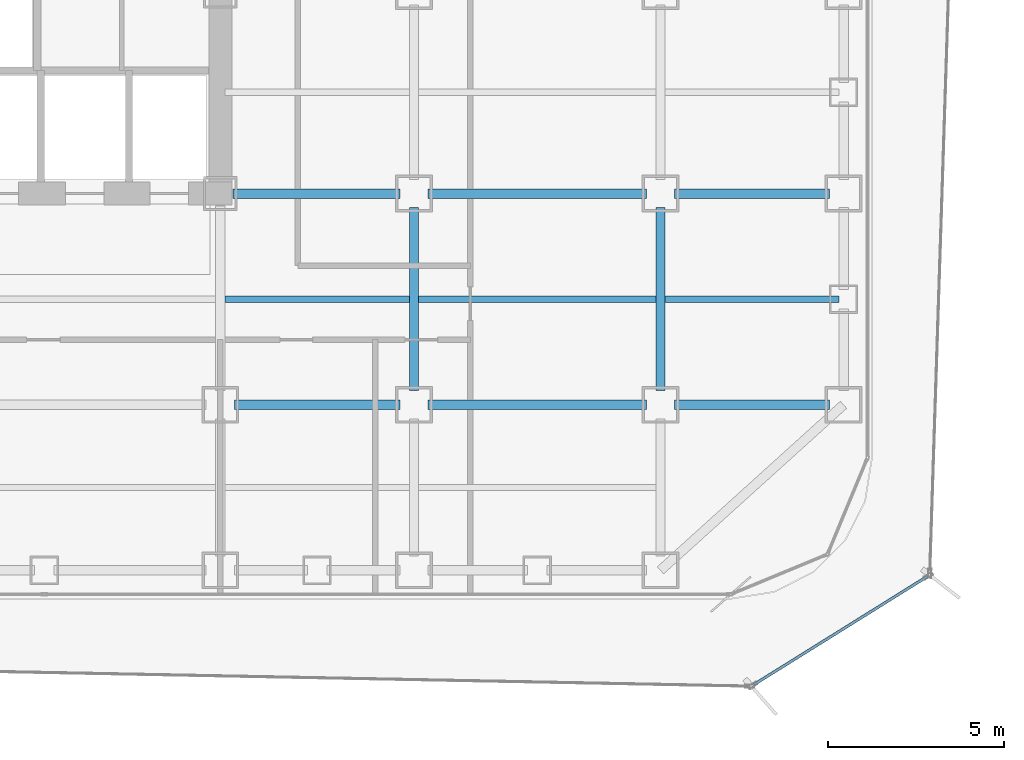
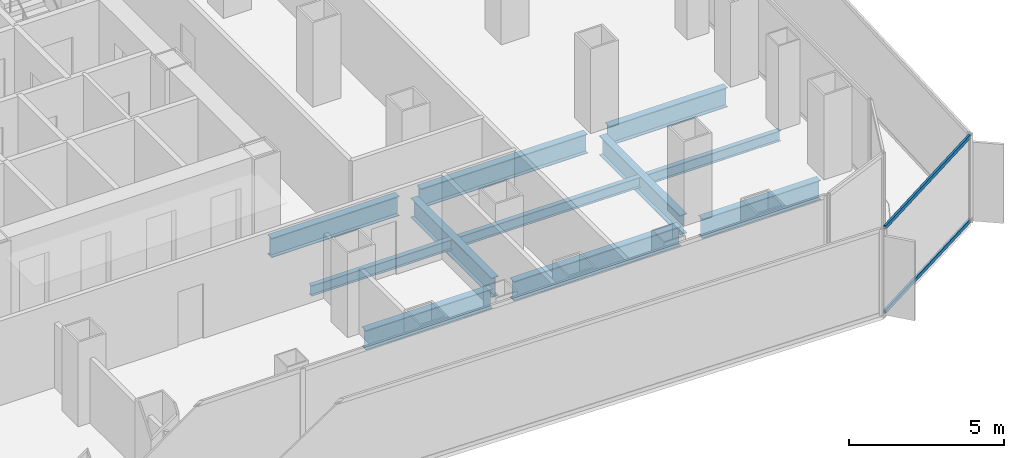
# One storey, part 7 of 21: 11 beams, 2 members, 1 element without a shape of its own.
"""IFC4 building model written with IfcOpenShell, lengths in metres."""

from ifc_helpers import new_model, si_unit, direction, frame, origin, origin_2d, place, context, subcontext, project, spatial, hollow_rectangle, i_section, extrude, source, transform, mapped, material, layer, layer_set, material_profile, profile_set, type_object, element, aggregate, save


model = new_model("IFC4")

# Units and contexts
model_context = context("Model", 3, precision=1e-05, world=origin(), true_north=direction((0.0, 1.0)))
body_context = subcontext(model_context, "Body", "Model", "MODEL_VIEW")
ifc_project = project(units=[si_unit("LENGTHUNIT", "METRE"), si_unit("AREAUNIT", "SQUARE_METRE"), si_unit("VOLUMEUNIT", "CUBIC_METRE"), si_unit("PLANEANGLEUNIT", "RADIAN"), si_unit("MASSUNIT", "GRAM", prefix="KILO")], contexts=[model_context])

# Site, building, storey
site_placement = place(None, origin())
site = spatial("IfcSite", under=ifc_project, at=site_placement, CompositionType="ELEMENT")
building_placement = place(site_placement, origin())
building = spatial("IfcBuilding", under=site, at=building_placement, Name="Kolveth Station Tower", CompositionType="ELEMENT")
storey_placement = place(building_placement, frame((0.0, 0.0, 33.300048828125)))
storey = spatial("IfcBuildingStorey", under=building, at=storey_placement, Name="L08", CompositionType="ELEMENT", Elevation=33.300048828125)

# Beams
ifc_material_1 = material(Name="Steel S355", Category="steel")
ifc_material_profile_1 = material_profile(ifc_material_1, i_section(OverallWidth=0.26708984375, OverallDepth=0.76611328125, WebThickness=0.014892578125, FlangeThickness=0.023681640625, at=origin_2d()), Name="W760x185")
ifc_profile_set_1 = profile_set([ifc_material_profile_1], Name="Steel S355")
beam_type_1 = type_object("IfcBeamType", Name="Beam_B3", PredefinedType="BEAM", material=ifc_profile_set_1)
shared_shape_1 = source(origin(), body_context, "Body", "SweptSolid", [
    extrude(i_section(OverallWidth=0.26708984375, OverallDepth=0.76611328125, WebThickness=0.014892578125, FlangeThickness=0.023681640625, at=origin_2d()), origin(), (0.0, 0.0, 1.0), 4.400146484375),
])
for number, where, z_axis, x_axis, name in (
    (1, (41.39990234375, 5.5, -0.6630859375), (1.0, 0.0, 0.0), (0.0, 1.0, 0.0), "L08 Primary Girder BM-L08-GY55-7"),
    (2, (41.39990234375, 11.5, -0.6630859375), (1.0, 0.0, 0.0), (0.0, 1.0, 0.0), "L08 Primary Girder BM-L08-GY115-7"),
):
    element("IfcBeam", number, at=place(storey_placement, frame(where, z_axis=z_axis, x_axis=x_axis)), inside=storey, type_object=beam_type_1, Name=name, PredefinedType="BEAM", context=body_context, shape_type="MappedRepresentation", body=[
        mapped(shared_shape_1, transform((0.0, 0.0, 0.0), x_axis=(1.0, 0.0, 0.0), y_axis=(0.0, 1.0, 0.0), z_axis=(0.0, 0.0, 1.0), scale=1.0)),
    ])
shared_shape_2 = source(origin(), body_context, "Body", "SweptSolid", [
    extrude(i_section(OverallWidth=0.26708984375, OverallDepth=0.76611328125, WebThickness=0.014892578125, FlangeThickness=0.023681640625, at=origin_2d()), origin(), (0.0, 0.0, 1.0), 6.2001953125),
])
for number, where, z_axis, x_axis, name in (
    (3, (34.39990234375, 5.5, -0.6630859375), (1.0, 0.0, 0.0), (0.0, 1.0, 0.0), "L08 Primary Girder BM-L08-GY55-6"),
    (4, (34.39990234375, 11.5, -0.6630859375), (1.0, 0.0, 0.0), (0.0, 1.0, 0.0), "L08 Primary Girder BM-L08-GY115-6"),
):
    element("IfcBeam", number, at=place(storey_placement, frame(where, z_axis=z_axis, x_axis=x_axis)), inside=storey, type_object=beam_type_1, Name=name, PredefinedType="BEAM", context=body_context, shape_type="MappedRepresentation", body=[
        mapped(shared_shape_2, transform((0.0, 0.0, 0.0), x_axis=(1.0, 0.0, 0.0), y_axis=(0.0, 1.0, 0.0), z_axis=(0.0, 0.0, 1.0), scale=1.0)),
    ])
shared_shape_3 = source(origin(), body_context, "Body", "SweptSolid", [
    extrude(i_section(OverallWidth=0.26708984375, OverallDepth=0.76611328125, WebThickness=0.014892578125, FlangeThickness=0.023681640625, at=origin_2d()), origin(), (0.0, 0.0, 1.0), 4.7001953125),
])
beam_1_placement = place(storey_placement, frame((28.89990234375, 5.5, -0.6630859375), z_axis=(1.0, 0.0, 0.0), x_axis=(0.0, 1.0, 0.0)))
element("IfcBeam", 5, at=beam_1_placement, inside=storey, type_object=beam_type_1, Name="L08 Primary Girder BM-L08-GY55-5", PredefinedType="BEAM", context=body_context, shape_type="MappedRepresentation", body=[
    mapped(shared_shape_3, transform((0.0, 0.0, 0.0), x_axis=(1.0, 0.0, 0.0), y_axis=(0.0, 1.0, 0.0), z_axis=(0.0, 0.0, 1.0), scale=1.0)),
])
shared_shape_4 = source(origin(), body_context, "Body", "SweptSolid", [
    extrude(i_section(OverallWidth=0.26708984375, OverallDepth=0.76611328125, WebThickness=0.014892578125, FlangeThickness=0.023681640625, at=origin_2d()), origin(), (0.0, 0.0, 1.0), 4.739990234375),
])
beam_2_placement = place(storey_placement, frame((28.860107421875, 11.5, -0.6630859375), z_axis=(1.0, 0.0, 0.0), x_axis=(0.0, 1.0, 0.0)))
element("IfcBeam", 6, at=beam_2_placement, inside=storey, type_object=beam_type_1, Name="L08 Primary Girder BM-L08-GY115-5", PredefinedType="BEAM", context=body_context, shape_type="MappedRepresentation", body=[
    mapped(shared_shape_4, transform((0.0, 0.0, 0.0), x_axis=(1.0, 0.0, 0.0), y_axis=(0.0, 1.0, 0.0), z_axis=(0.0, 0.0, 1.0), scale=1.0)),
])
shared_shape_5 = source(origin(), body_context, "Body", "SweptSolid", [
    extrude(i_section(OverallWidth=0.26708984375, OverallDepth=0.76611328125, WebThickness=0.014892578125, FlangeThickness=0.023681640625, at=origin_2d()), origin(), (0.0, 0.0, 1.0), 5.2001953125),
])
for number, where, z_axis, x_axis, name in (
    (7, (34.0, 5.89990234375, -0.6630859375), (0.0, 1.0, 0.0), (-1.0, 0.0, 0.0), "L08 Primary Girder BM-L08-GX340-2"),
    (8, (41.0, 5.89990234375, -0.6630859375), (0.0, 1.0, 0.0), (-1.0, 0.0, 0.0), "L08 Primary Girder BM-L08-GX410-2"),
):
    element("IfcBeam", number, at=place(storey_placement, frame(where, z_axis=z_axis, x_axis=x_axis)), inside=storey, type_object=beam_type_1, Name=name, PredefinedType="BEAM", context=body_context, shape_type="MappedRepresentation", body=[
        mapped(shared_shape_5, transform((0.0, 0.0, 0.0), x_axis=(1.0, 0.0, 0.0), y_axis=(0.0, 1.0, 0.0), z_axis=(0.0, 0.0, 1.0), scale=1.0)),
    ])
ifc_material_profile_2 = material_profile(ifc_material_1, i_section(OverallWidth=0.177978515625, OverallDepth=0.406982421875, WebThickness=0.0078125, FlangeThickness=0.0126953125, at=origin_2d()), Name="W410x60")
ifc_profile_set_2 = profile_set([ifc_material_profile_2], Name="Steel S355")
beam_type_2 = type_object("IfcBeamType", Name="Beam_J1", PredefinedType="JOIST", material=ifc_profile_set_2)
shared_shape_6 = source(origin(), body_context, "Body", "SweptSolid", [
    extrude(i_section(OverallWidth=0.177978515625, OverallDepth=0.406982421875, WebThickness=0.0078125, FlangeThickness=0.0126953125, at=origin_2d()), origin(), (0.0, 0.0, 1.0), 4.935791015625),
])
beam_3_placement = place(storey_placement, frame((41.131591796875, 8.5, -0.483642578125), z_axis=(1.0, 0.0, 0.0), x_axis=(0.0, 1.0, 0.0)))
element("IfcBeam", 9, at=beam_3_placement, inside=storey, type_object=beam_type_2, Name="L08 Secondary Joist JST-L08-7-2", PredefinedType="JOIST", context=body_context, shape_type="MappedRepresentation", body=[
    mapped(shared_shape_6, transform((0.0, 0.0, 0.0), x_axis=(1.0, 0.0, 0.0), y_axis=(0.0, 1.0, 0.0), z_axis=(0.0, 0.0, 1.0), scale=1.0)),
])
shared_shape_7 = source(origin(), body_context, "Body", "SweptSolid", [
    extrude(i_section(OverallWidth=0.177978515625, OverallDepth=0.406982421875, WebThickness=0.0078125, FlangeThickness=0.0126953125, at=origin_2d()), origin(), (0.0, 0.0, 1.0), 6.73681640625),
])
beam_4_placement = place(storey_placement, frame((34.131591796875, 8.5, -0.483642578125), z_axis=(1.0, 0.0, 0.0), x_axis=(0.0, 1.0, 0.0)))
element("IfcBeam", 10, at=beam_4_placement, inside=storey, type_object=beam_type_2, Name="L08 Secondary Joist JST-L08-6-2", PredefinedType="JOIST", context=body_context, shape_type="MappedRepresentation", body=[
    mapped(shared_shape_7, transform((0.0, 0.0, 0.0), x_axis=(1.0, 0.0, 0.0), y_axis=(0.0, 1.0, 0.0), z_axis=(0.0, 0.0, 1.0), scale=1.0)),
])
shared_shape_8 = source(origin(), body_context, "Body", "SweptSolid", [
    extrude(i_section(OverallWidth=0.177978515625, OverallDepth=0.406982421875, WebThickness=0.0078125, FlangeThickness=0.0126953125, at=origin_2d()), origin(), (0.0, 0.0, 1.0), 5.23681640625),
])
beam_5_placement = place(storey_placement, frame((28.631591796875, 8.5, -0.483642578125), z_axis=(1.0, 0.0, 0.0), x_axis=(0.0, 1.0, 0.0)))
element("IfcBeam", 11, at=beam_5_placement, inside=storey, type_object=beam_type_2, Name="L08 Secondary Joist JST-L08-5-2", PredefinedType="JOIST", context=body_context, shape_type="MappedRepresentation", body=[
    mapped(shared_shape_8, transform((0.0, 0.0, 0.0), x_axis=(1.0, 0.0, 0.0), y_axis=(0.0, 1.0, 0.0), z_axis=(0.0, 0.0, 1.0), scale=1.0)),
])

# Curtain wall, members
ifc_material_2 = material(Name="Black anodized aluminium 6063-T6 and dark solar glass", Category="aluminium")
ifc_layer = layer(ifc_material_2, 0.159912109375)
ifc_layer_set = layer_set([ifc_layer], Name="Black anodized aluminium 6063-T6 and dark solar glass")
curtain_wall_type = type_object("IfcCurtainWallType", Name="OUTER SKIN CW-OS", PredefinedType="NOTDEFINED", material=ifc_layer_set)
curtain_wall_placement = place(storey_placement, origin())
curtain_wall = element("IfcCurtainWall", 12, at=curtain_wall_placement, inside=storey, type_object=curtain_wall_type, Name="L08 Outer Ventilated Skin Curtain Wall 1", PredefinedType="NOTDEFINED")
ifc_material_3 = material(Name="Black anodized aluminium 6063-T6", Category="aluminium")
ifc_material_profile_3 = material_profile(ifc_material_3, hollow_rectangle(XDim=0.080078125, YDim=0.14990234375, WallThickness=0.0048828125, at=origin_2d()), Name="ALU-80x150x5")
ifc_profile_set_3 = profile_set([ifc_material_profile_3], Name="Black anodized aluminium 6063-T6")
member_type = type_object("IfcMemberType", Name="Transom_TR-OS", PredefinedType="USERDEFINED", material=ifc_profile_set_3)
shared_shape_9 = source(origin(), body_context, "Body", "SweptSolid", [
    extrude(hollow_rectangle(XDim=0.080078125, YDim=0.14990234375, WallThickness=0.0048828125, at=origin_2d()), origin(), (0.0, 0.0, 1.0), 5.79150390625),
])
member_1_placement = place(storey_placement, frame((43.657958984375, -2.445068359375, 0.0400390625), z_axis=(0.848521265332, 0.529161281917, 0.0), x_axis=(-0.529161281917, 0.848521265332, 0.0)))
member_1 = element("IfcMember", 13, at=member_1_placement, type_object=member_type, Name="CW-OS transom 1.1", ObjectType="TRANSOM", PredefinedType="USERDEFINED", context=body_context, shape_type="MappedRepresentation", body=[
    mapped(shared_shape_9, transform((0.0, 0.0, 0.0), x_axis=(1.0, 0.0, 0.0), y_axis=(0.0, 1.0, 0.0), z_axis=(0.0, 0.0, 1.0), scale=1.0)),
])
member_2_placement = place(storey_placement, frame((43.657958984375, -2.445068359375, 3.349853515625), z_axis=(0.848521265332, 0.529161281917, 0.0), x_axis=(-0.529161281917, 0.848521265332, 0.0)))
member_2 = element("IfcMember", 14, at=member_2_placement, type_object=member_type, Name="CW-OS transom 1.2", ObjectType="TRANSOM", PredefinedType="USERDEFINED", context=body_context, shape_type="MappedRepresentation", body=[
    mapped(shared_shape_9, transform((0.0, 0.0, 0.0), x_axis=(1.0, 0.0, 0.0), y_axis=(0.0, 1.0, 0.0), z_axis=(0.0, 0.0, 1.0), scale=1.0)),
])
aggregate(curtain_wall, [member_1, member_2])

save(model, "model.ifc")
